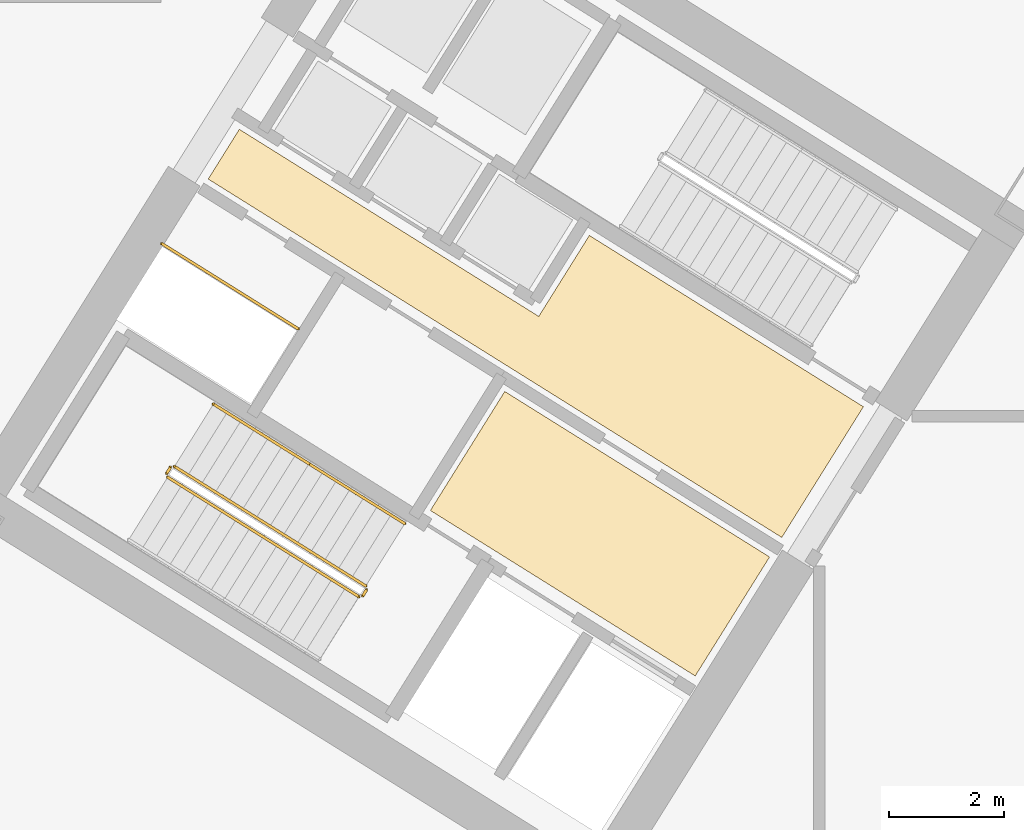
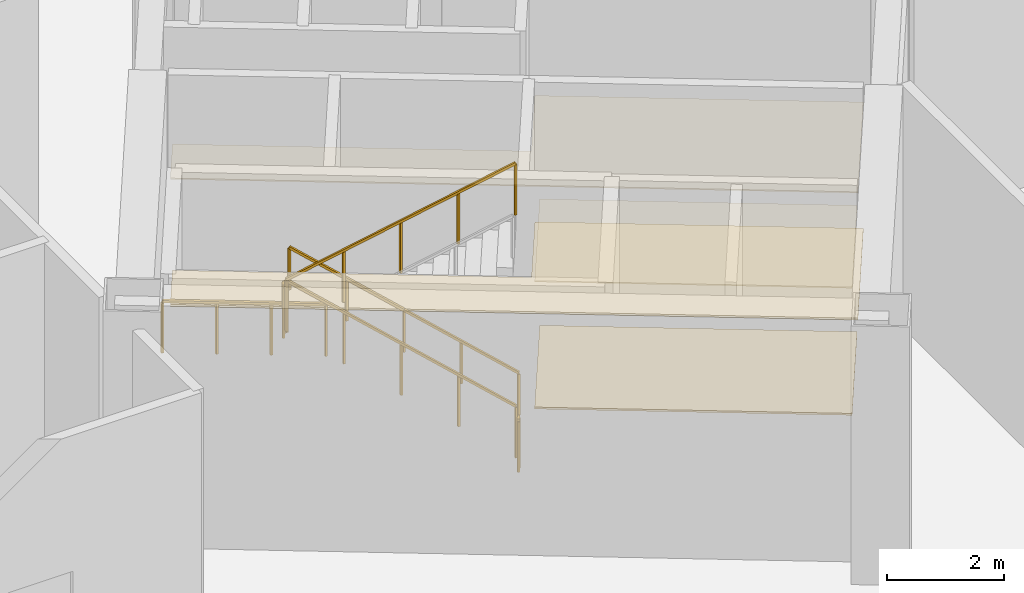
# One storey, part 17 of 22: 7 railings, 4 coverings.
"""IFC4 building model written with IfcOpenShell, lengths in metres."""

from ifc_helpers import new_model, si_unit, direction, frame, origin, origin_2d, place, context, subcontext, project, spatial, polyline, rectangle, outline, extrude, source, transform, mapped, material, layer, layer_set, type_object, element, save


model = new_model("IFC4")

# Units and contexts
model_context = context("Model", 3, precision=1e-05, world=origin(), true_north=direction((0.0, 1.0)))
body_context = subcontext(model_context, "Body", "Model", "MODEL_VIEW")
ifc_project = project(units=[si_unit("LENGTHUNIT", "METRE"), si_unit("AREAUNIT", "SQUARE_METRE"), si_unit("VOLUMEUNIT", "CUBIC_METRE"), si_unit("PLANEANGLEUNIT", "RADIAN"), si_unit("MASSUNIT", "GRAM", prefix="KILO")], contexts=[model_context])

# Site, building, storey
site_placement = place(None, origin())
site = spatial("IfcSite", under=ifc_project, at=site_placement, CompositionType="ELEMENT")
building_placement = place(site_placement, origin())
building = spatial("IfcBuilding", under=site, at=building_placement, Name="Tlacorven Tower", CompositionType="ELEMENT")
storey_placement = place(building_placement, origin())
storey = spatial("IfcBuildingStorey", under=building, at=storey_placement, Name="L00", CompositionType="ELEMENT", Elevation=0.0)

# Coverings
ifc_material_1 = material(Name="Acoustic mineral-fibre ceiling")
ifc_layer_1 = layer(ifc_material_1, 0.02490234375)
ifc_layer_set_1 = layer_set([ifc_layer_1], Name="Acoustic mineral-fibre ceiling")
covering_type_1 = type_object("IfcCoveringType", Name="CV-CLG-ACST", PredefinedType="CEILING", material=ifc_layer_set_1)
covering_1_placement = place(storey_placement, frame((0.0, 0.0, 2.64990234375)))
element("IfcCovering", 1, at=covering_1_placement, inside=storey, type_object=covering_type_1, Name="L00 Acoustic Suspended Ceiling 1", PredefinedType="CEILING", context=body_context, shape_type="SweptSolid", body=[
    extrude(outline(polyline([(36.185302734375, 18.35595703125), (34.892333984375, 16.286865234375), (30.287353515625, 19.164306640625), (31.580322265625, 21.2333984375), (36.185302734375, 18.35595703125)])), origin(), (0.0, 0.0, 1.0), 0.025146484375),
])
covering_2_placement = place(storey_placement, frame((0.0, 0.0, 2.64990234375)))
element("IfcCovering", 2, at=covering_2_placement, inside=storey, type_object=covering_type_1, Name="L00 Acoustic Suspended Ceiling 2", PredefinedType="CEILING", context=body_context, shape_type="SweptSolid", body=[
    extrude(outline(polyline([(37.8173828125, 20.968017578125), (36.397216796875, 18.6953125), (26.424072265625, 24.927001953125), (26.964599609375, 25.7919921875), (32.171630859375, 22.538330078125), (33.05126953125, 23.946044921875), (37.8173828125, 20.968017578125)])), origin(), (0.0, 0.0, 1.0), 0.025146484375),
])
ifc_material_2 = material(Name="Terrazzo and ceramic flooring")
ifc_layer_2 = layer(ifc_material_2, 0.0400390625)
ifc_layer_set_2 = layer_set([ifc_layer_2], Name="Terrazzo and ceramic flooring")
covering_type_2 = type_object("IfcCoveringType", Name="CV-FLR-TERZ", PredefinedType="FLOORING", material=ifc_layer_set_2)
covering_3_placement = place(storey_placement, origin())
element("IfcCovering", 3, at=covering_3_placement, inside=storey, type_object=covering_type_2, Name="L00 Terrazzo Floor Finish 1", PredefinedType="FLOORING", context=body_context, shape_type="SweptSolid", body=[
    extrude(outline(polyline([(36.185302734375, 18.35595703125), (34.892333984375, 16.286865234375), (30.287353515625, 19.164306640625), (31.580322265625, 21.2333984375), (36.185302734375, 18.35595703125)])), origin(), (0.0, 0.0, 1.0), 0.0400390625),
])
covering_4_placement = place(storey_placement, origin())
element("IfcCovering", 4, at=covering_4_placement, inside=storey, type_object=covering_type_2, Name="L00 Terrazzo Floor Finish 2", PredefinedType="FLOORING", context=body_context, shape_type="SweptSolid", body=[
    extrude(outline(polyline([(37.8173828125, 20.968017578125), (36.397216796875, 18.6953125), (26.424072265625, 24.927001953125), (26.964599609375, 25.7919921875), (32.171630859375, 22.538330078125), (33.05126953125, 23.946044921875), (37.8173828125, 20.968017578125)])), origin(), (0.0, 0.0, 1.0), 0.0400390625),
])

# Railings
ifc_material_3 = material(Name="Aluminium and painted steel balustrade", Category="steel")
railing_type_1 = type_object("IfcRailingType", Name="RL-GRD-1100", PredefinedType="GUARDRAIL", material=ifc_material_3)
shared_shape_1 = source(origin(), body_context, "Body", "SweptSolid", [
    extrude(rectangle(XDim=0.048095703125, YDim=0.048095703125, at=origin_2d()), frame((0.0, 0.0, 1.076171875), z_axis=(-0.848091358275, 0.529850024081, 0.0), x_axis=(-0.529850024081, -0.848091358275, 0.0)), (0.0, 0.0, 1.0), 2.800048828125),
    extrude(rectangle(XDim=0.0419921875, YDim=0.0419921875, at=origin_2d()), origin(), (0.0, 0.0, 1.0), 1.052001953125),
    extrude(rectangle(XDim=0.0419921875, YDim=0.0419921875, at=origin_2d()), frame((-0.79150390625, 0.49462890625, 0.0)), (0.0, 0.0, 1.0), 1.052001953125),
    extrude(rectangle(XDim=0.0419921875, YDim=0.0419921875, at=origin_2d()), frame((-1.583251953125, 0.989013671875, 0.0)), (0.0, 0.0, 1.0), 1.052001953125),
    extrude(rectangle(XDim=0.0419921875, YDim=0.0419921875, at=origin_2d()), frame((-2.374755859375, 1.483642578125, 0.0)), (0.0, 0.0, 1.0), 1.052001953125),
])
railing_1_placement = place(storey_placement, frame((27.9912109375, 22.32080078125, 0.0)))
element("IfcRailing", 5, at=railing_1_placement, inside=storey, type_object=railing_type_1, Name="L00 Electrical Riser W Shaft Guard 1", PredefinedType="GUARDRAIL", context=body_context, shape_type="MappedRepresentation", body=[
    mapped(shared_shape_1, transform((0.0, 0.0, 0.0), scale=1.0)),
])
shared_shape_2 = source(origin(), body_context, "Body", "SweptSolid", [
    extrude(rectangle(XDim=0.048095703125, YDim=0.048095703125, at=origin_2d()), frame((0.0, 0.0, 1.076171875), z_axis=(-0.529084052582, -0.848569422795, 0.0), x_axis=(0.848569422795, -0.529084052582, 0.0)), (0.0, 0.0, 1.0), 0.119873046875),
    extrude(rectangle(XDim=0.0419921875, YDim=0.0419921875, at=origin_2d()), origin(), (0.0, 0.0, 1.0), 1.052001953125),
    extrude(rectangle(XDim=0.0419921875, YDim=0.0419921875, at=origin_2d()), frame((-0.0634765625, -0.101806640625, 0.0)), (0.0, 0.0, 1.0), 1.052001953125),
])
for number, where, name in (
    (6, (25.767333984375, 19.913330078125, 2.699951171875), "L00 ST-W1 stair guard 2"),
    (7, (29.176513671875, 17.782958984375, 0.0), "L00 ST-W1 stair guard 4"),
):
    element("IfcRailing", number, at=place(storey_placement, frame(where)), inside=storey, type_object=railing_type_1, Name=name, PredefinedType="GUARDRAIL", context=body_context, shape_type="MappedRepresentation", body=[
        mapped(shared_shape_2, transform((0.0, 0.0, 0.0), scale=1.0)),
    ])
shared_shape_3 = source(origin(), body_context, "Body", "SweptSolid", [
    extrude(rectangle(XDim=0.048095703125, YDim=0.048095703125, at=origin_2d()), frame((0.0, 0.0, 1.076171875), z_axis=(-0.713337067426, 0.445783277521, 0.540765658782), x_axis=(-0.529954152494, -0.848026294554, 0.0)), (0.0, 0.0, 1.0), 4.66015625),
    extrude(rectangle(XDim=0.0419921875, YDim=0.0419921875, at=origin_2d()), origin(), (0.0, 0.0, 1.0), 1.052001953125),
    extrude(rectangle(XDim=0.0419921875, YDim=0.0419921875, at=origin_2d()), frame((-0.8310546875, 0.519287109375, 0.6298828125)), (0.0, 0.0, 1.0), 1.052001953125),
    extrude(rectangle(XDim=0.0419921875, YDim=0.0419921875, at=origin_2d()), frame((-1.662109375, 1.03857421875, 1.260009765625)), (0.0, 0.0, 1.0), 1.052001953125),
    extrude(rectangle(XDim=0.0419921875, YDim=0.0419921875, at=origin_2d()), frame((-2.4931640625, 1.55810546875, 1.89013671875)), (0.0, 0.0, 1.0), 1.052001953125),
    extrude(rectangle(XDim=0.0419921875, YDim=0.0419921875, at=origin_2d()), frame((-3.32421875, 2.077392578125, 2.52001953125)), (0.0, 0.0, 1.0), 1.052001953125),
])
railing_2_placement = place(storey_placement, frame((29.16064453125, 17.851806640625, 0.179931640625)))
element("IfcRailing", 8, at=railing_2_placement, inside=storey, type_object=railing_type_1, Name="L00 ST-W1 stair guard 1", PredefinedType="GUARDRAIL", context=body_context, shape_type="MappedRepresentation", body=[
    mapped(shared_shape_3, transform((0.0, 0.0, 0.0), scale=1.0)),
])
shared_shape_4 = source(origin(), body_context, "Body", "SweptSolid", [
    extrude(rectangle(XDim=0.048095703125, YDim=0.048095703125, at=origin_2d()), frame((0.0, 0.0, 1.076171875), z_axis=(0.713362797158, -0.445766618272, 0.540745449972), x_axis=(0.529926163394, 0.848043785043, 0.0)), (0.0, 0.0, 1.0), 4.66015625),
    extrude(rectangle(XDim=0.0419921875, YDim=0.0419921875, at=origin_2d()), origin(), (0.0, 0.0, 1.0), 1.052001953125),
    extrude(rectangle(XDim=0.0419921875, YDim=0.0419921875, at=origin_2d()), frame((0.8310546875, -0.519287109375, 0.6298828125)), (0.0, 0.0, 1.0), 1.052001953125),
    extrude(rectangle(XDim=0.0419921875, YDim=0.0419921875, at=origin_2d()), frame((1.662109375, -1.03857421875, 1.260009765625)), (0.0, 0.0, 1.0), 1.052001953125),
    extrude(rectangle(XDim=0.0419921875, YDim=0.0419921875, at=origin_2d()), frame((2.493408203125, -1.55810546875, 1.89013671875)), (0.0, 0.0, 1.0), 1.052001953125),
    extrude(rectangle(XDim=0.0419921875, YDim=0.0419921875, at=origin_2d()), frame((3.324462890625, -2.077392578125, 2.52001953125)), (0.0, 0.0, 1.0), 1.052001953125),
])
railing_3_placement = place(storey_placement, frame((25.7197265625, 19.74267578125, 2.8798828125)))
element("IfcRailing", 9, at=railing_3_placement, inside=storey, type_object=railing_type_1, Name="L00 ST-W1 stair guard 3", PredefinedType="GUARDRAIL", context=body_context, shape_type="MappedRepresentation", body=[
    mapped(shared_shape_4, transform((0.0, 0.0, 0.0), scale=1.0)),
])
railing_type_2 = type_object("IfcRailingType", Name="RL-HND-0900", PredefinedType="HANDRAIL", material=ifc_material_3)
shared_shape_5 = source(origin(), body_context, "Body", "SweptSolid", [
    extrude(rectangle(XDim=0.048095703125, YDim=0.048095703125, at=origin_2d()), frame((0.0, 0.0, 0.8759765625), z_axis=(-0.713371865327, 0.445791935228, 0.540712615208), x_axis=(-0.529942963146, -0.848033286971, 0.0)), (0.0, 0.0, 1.0), 2.330322265625),
    extrude(rectangle(XDim=0.0419921875, YDim=0.0419921875, at=origin_2d()), origin(), (0.0, 0.0, 1.0), 0.851806640625),
    extrude(rectangle(XDim=0.0419921875, YDim=0.0419921875, at=origin_2d()), frame((-0.8310546875, 0.51953125, 0.6298828125)), (0.0, 0.0, 1.0), 0.851806640625),
    extrude(rectangle(XDim=0.0419921875, YDim=0.0419921875, at=origin_2d()), frame((-1.662353515625, 1.038818359375, 1.260009765625)), (0.0, 0.0, 1.0), 0.851806640625),
])
railing_4_placement = place(storey_placement, frame((29.839111328125, 18.937255859375, 0.179931640625)))
element("IfcRailing", 10, at=railing_4_placement, inside=storey, type_object=railing_type_2, Name="L00 ST-W1 stair handrail 1", PredefinedType="HANDRAIL", context=body_context, shape_type="MappedRepresentation", body=[
    mapped(shared_shape_5, transform((0.0, 0.0, 0.0), scale=1.0)),
])
shared_shape_6 = source(origin(), body_context, "Body", "SweptSolid", [
    extrude(rectangle(XDim=0.048095703125, YDim=0.048095703125, at=origin_2d()), frame((0.0, 0.0, 0.8759765625), z_axis=(-0.713353726602, 0.445741297439, 0.540778287749), x_axis=(-0.52990936055, -0.848054284584, 0.0)), (0.0, 0.0, 1.0), 2.330078125),
    extrude(rectangle(XDim=0.0419921875, YDim=0.0419921875, at=origin_2d()), origin(), (0.0, 0.0, 1.0), 0.851806640625),
    extrude(rectangle(XDim=0.0419921875, YDim=0.0419921875, at=origin_2d()), frame((-0.8310546875, 0.519287109375, 0.6298828125)), (0.0, 0.0, 1.0), 0.851806640625),
    extrude(rectangle(XDim=0.0419921875, YDim=0.0419921875, at=origin_2d()), frame((-1.662109375, 1.03857421875, 1.260009765625)), (0.0, 0.0, 1.0), 0.851806640625),
])
railing_5_placement = place(storey_placement, frame((28.1767578125, 19.97607421875, 1.43994140625)))
element("IfcRailing", 11, at=railing_5_placement, inside=storey, type_object=railing_type_2, Name="L00 ST-W1 stair handrail 2", PredefinedType="HANDRAIL", context=body_context, shape_type="MappedRepresentation", body=[
    mapped(shared_shape_6, transform((0.0, 0.0, 0.0), scale=1.0)),
])

save(model, "model.ifc")
